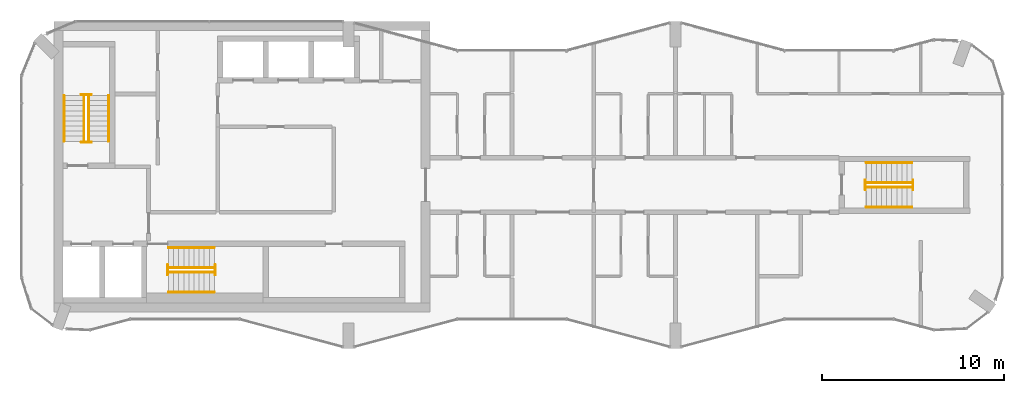
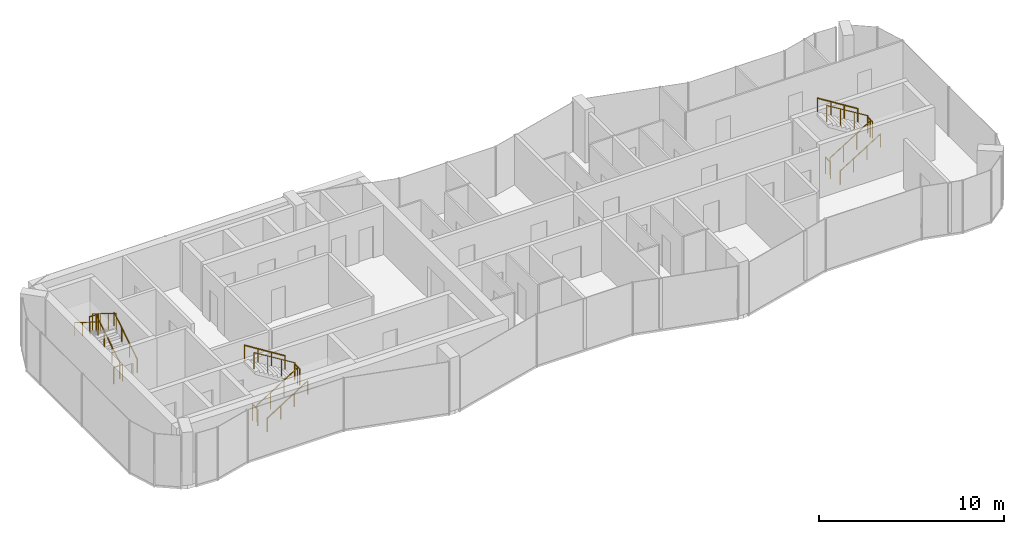
# One storey, part 10 of 10: 18 railings.
"""IFC4 building model written with IfcOpenShell, lengths in metres."""

from ifc_helpers import new_model, si_unit, direction, frame, origin, origin_2d, place, context, subcontext, project, spatial, circle, extrude, material, type_object, element, save


model = new_model("IFC4")

# Units and contexts
model_context = context("Model", 3, precision=1e-05, world=origin(), true_north=direction((0.0, 1.0)))
body_context = subcontext(model_context, "Body", "Model", "MODEL_VIEW")
ifc_project = project(units=[si_unit("LENGTHUNIT", "METRE"), si_unit("AREAUNIT", "SQUARE_METRE"), si_unit("VOLUMEUNIT", "CUBIC_METRE"), si_unit("PLANEANGLEUNIT", "RADIAN"), si_unit("MASSUNIT", "GRAM", prefix="KILO")], contexts=[model_context])

# Site, building, storey
site_placement = place(None, origin())
site = spatial("IfcSite", under=ifc_project, at=site_placement, CompositionType="ELEMENT")
building_placement = place(site_placement, origin())
building = spatial("IfcBuilding", under=site, at=building_placement, Name="Plateau Cross Towers", CompositionType="ELEMENT")
storey_placement = place(building_placement, frame((0.0, 0.0, 252.89990234375)))
storey = spatial("IfcBuildingStorey", under=building, at=storey_placement, Name="L66", CompositionType="ELEMENT", Elevation=252.89990234375)

# Railings
ifc_material_1 = material(Name="Stainless steel and toughened glass", Category="steel")
railing_type_1 = type_object("IfcRailingType", Name="RL-GUARD-1100", PredefinedType="GUARDRAIL", material=ifc_material_1)
railing_1_placement = place(storey_placement, frame((3.699951171875, 11.39990234375, 0.175048828125)))
element("IfcRailing", 1, at=railing_1_placement, inside=storey, type_object=railing_type_1, Name="L66 ST-1 stair guard 1", PredefinedType="GUARDRAIL", context=body_context, shape_type="SweptSolid", body=[
    extrude(circle(Radius=0.02392578125, at=origin_2d()), frame((0.0, 0.0, 1.076171875), z_axis=(0.0, 0.848007534815, 0.529984170421), x_axis=(-1.0, 0.0, 0.0)), (0.0, 0.0, 1.0), 2.9716796875),
    extrude(circle(Radius=0.02099609375, at=origin_2d()), origin(), (0.0, 0.0, 1.0), 1.052001953125),
    extrude(circle(Radius=0.02099609375, at=origin_2d()), frame((0.0, 0.840087890625, 0.52490234375)), (0.0, 0.0, 1.0), 1.052001953125),
    extrude(circle(Radius=0.02099609375, at=origin_2d()), frame((0.0, 1.679931640625, 1.050048828125)), (0.0, 0.0, 1.0), 1.052001953125),
    extrude(circle(Radius=0.02099609375, at=origin_2d()), frame((0.0, 2.52001953125, 1.574951171875)), (0.0, 0.0, 1.0), 1.052001953125),
])
railing_2_placement = place(storey_placement, frame((3.85009765625, 13.969970703125, 1.75)))
element("IfcRailing", 2, at=railing_2_placement, inside=storey, type_object=railing_type_1, Name="L66 ST-1 stair guard 2", PredefinedType="GUARDRAIL", context=body_context, shape_type="SweptSolid", body=[
    extrude(circle(Radius=0.02392578125, at=origin_2d()), frame((0.0, 0.0, 1.076171875), z_axis=(-1.0, 0.0, 0.0), x_axis=(0.0, -1.0, 0.0)), (0.0, 0.0, 1.0), 0.550048828125),
    extrude(circle(Radius=0.02099609375, at=origin_2d()), origin(), (0.0, 0.0, 1.0), 1.052001953125),
    extrude(circle(Radius=0.02099609375, at=origin_2d()), frame((-0.550048828125, 0.0, 0.0)), (0.0, 0.0, 1.0), 1.052001953125),
])
railing_3_placement = place(storey_placement, frame((3.449951171875, 13.919921875, 1.925048828125)))
element("IfcRailing", 3, at=railing_3_placement, inside=storey, type_object=railing_type_1, Name="L66 ST-1 stair guard 3", PredefinedType="GUARDRAIL", context=body_context, shape_type="SweptSolid", body=[
    extrude(circle(Radius=0.02392578125, at=origin_2d()), frame((0.0, 0.0, 1.076171875), z_axis=(0.0, -0.852616386126, 0.522537365276), x_axis=(1.0, 0.0, 0.0)), (0.0, 0.0, 1.0), 3.01416015625),
    extrude(circle(Radius=0.02099609375, at=origin_2d()), origin(), (0.0, 0.0, 1.0), 1.052001953125),
    extrude(circle(Radius=0.02099609375, at=origin_2d()), frame((0.0, -0.856689453125, 0.52490234375)), (0.0, 0.0, 1.0), 1.052001953125),
    extrude(circle(Radius=0.02099609375, at=origin_2d()), frame((0.0, -1.713134765625, 1.050048828125)), (0.0, 0.0, 1.0), 1.052001953125),
    extrude(circle(Radius=0.02099609375, at=origin_2d()), frame((0.0, -2.56982421875, 1.574951171875)), (0.0, 0.0, 1.0), 1.052001953125),
])
railing_4_placement = place(storey_placement, frame((3.85009765625, 11.35009765625, 0.0)))
element("IfcRailing", 4, at=railing_4_placement, inside=storey, type_object=railing_type_1, Name="L66 ST-1 stair guard 4", PredefinedType="GUARDRAIL", context=body_context, shape_type="SweptSolid", body=[
    extrude(circle(Radius=0.02392578125, at=origin_2d()), frame((0.0, 0.0, 1.076171875), z_axis=(-1.0, 0.0, 0.0), x_axis=(0.0, -1.0, 0.0)), (0.0, 0.0, 1.0), 0.550048828125),
    extrude(circle(Radius=0.02099609375, at=origin_2d()), origin(), (0.0, 0.0, 1.0), 1.052001953125),
    extrude(circle(Radius=0.02099609375, at=origin_2d()), frame((-0.550048828125, 0.0, 0.0)), (0.0, 0.0, 1.0), 1.052001953125),
])
railing_5_placement = place(storey_placement, frame((8.10009765625, 4.199951171875, 0.175048828125)))
element("IfcRailing", 5, at=railing_5_placement, inside=storey, type_object=railing_type_1, Name="L66 ST-2 stair guard 1", PredefinedType="GUARDRAIL", context=body_context, shape_type="SweptSolid", body=[
    extrude(circle(Radius=0.02392578125, at=origin_2d()), frame((0.0, 0.0, 1.076171875), z_axis=(0.848007534815, 0.0, 0.529984170421), x_axis=(0.0, 1.0, 0.0)), (0.0, 0.0, 1.0), 2.9716796875),
    extrude(circle(Radius=0.02099609375, at=origin_2d()), origin(), (0.0, 0.0, 1.0), 1.052001953125),
    extrude(circle(Radius=0.02099609375, at=origin_2d()), frame((0.840087890625, 0.0, 0.52490234375)), (0.0, 0.0, 1.0), 1.052001953125),
    extrude(circle(Radius=0.02099609375, at=origin_2d()), frame((1.679931640625, 0.0, 1.050048828125)), (0.0, 0.0, 1.0), 1.052001953125),
    extrude(circle(Radius=0.02099609375, at=origin_2d()), frame((2.52001953125, 0.0, 1.574951171875)), (0.0, 0.0, 1.0), 1.052001953125),
])
railing_6_placement = place(storey_placement, frame((10.669921875, 4.050048828125, 1.75)))
element("IfcRailing", 6, at=railing_6_placement, inside=storey, type_object=railing_type_1, Name="L66 ST-2 stair guard 2", PredefinedType="GUARDRAIL", context=body_context, shape_type="SweptSolid", body=[
    extrude(circle(Radius=0.02392578125, at=origin_2d()), frame((0.0, 0.0, 1.076171875), z_axis=(0.0, 1.0, 0.0), x_axis=(-1.0, 0.0, 0.0)), (0.0, 0.0, 1.0), 0.550048828125),
    extrude(circle(Radius=0.02099609375, at=origin_2d()), origin(), (0.0, 0.0, 1.0), 1.052001953125),
    extrude(circle(Radius=0.02099609375, at=origin_2d()), frame((0.0, 0.550048828125, 0.0)), (0.0, 0.0, 1.0), 1.052001953125),
])
railing_7_placement = place(storey_placement, frame((10.6201171875, 4.449951171875, 1.925048828125)))
element("IfcRailing", 7, at=railing_7_placement, inside=storey, type_object=railing_type_1, Name="L66 ST-2 stair guard 3", PredefinedType="GUARDRAIL", context=body_context, shape_type="SweptSolid", body=[
    extrude(circle(Radius=0.02392578125, at=origin_2d()), frame((0.0, 0.0, 1.076171875), z_axis=(-0.852638500773, 0.0, 0.522501279423), x_axis=(0.0, -1.0, 0.0)), (0.0, 0.0, 1.0), 3.01416015625),
    extrude(circle(Radius=0.02099609375, at=origin_2d()), origin(), (0.0, 0.0, 1.0), 1.052001953125),
    extrude(circle(Radius=0.02099609375, at=origin_2d()), frame((-0.856689453125, 0.0, 0.52490234375)), (0.0, 0.0, 1.0), 1.052001953125),
    extrude(circle(Radius=0.02099609375, at=origin_2d()), frame((-1.71337890625, 0.0, 1.050048828125)), (0.0, 0.0, 1.0), 1.052001953125),
    extrude(circle(Radius=0.02099609375, at=origin_2d()), frame((-2.570068359375, 0.0, 1.574951171875)), (0.0, 0.0, 1.0), 1.052001953125),
])
railing_8_placement = place(storey_placement, frame((8.050048828125, 4.050048828125, 0.0)))
element("IfcRailing", 8, at=railing_8_placement, inside=storey, type_object=railing_type_1, Name="L66 ST-2 stair guard 4", PredefinedType="GUARDRAIL", context=body_context, shape_type="SweptSolid", body=[
    extrude(circle(Radius=0.02392578125, at=origin_2d()), frame((0.0, 0.0, 1.076171875), z_axis=(0.0, 1.0, 0.0), x_axis=(-1.0, 0.0, 0.0)), (0.0, 0.0, 1.0), 0.550048828125),
    extrude(circle(Radius=0.02099609375, at=origin_2d()), origin(), (0.0, 0.0, 1.0), 1.052001953125),
    extrude(circle(Radius=0.02099609375, at=origin_2d()), frame((0.0, 0.550048828125, 0.0)), (0.0, 0.0, 1.0), 1.052001953125),
])
railing_9_placement = place(storey_placement, frame((46.5, 8.875, 0.175048828125)))
element("IfcRailing", 9, at=railing_9_placement, inside=storey, type_object=railing_type_1, Name="L66 ES-E stair guard 1", PredefinedType="GUARDRAIL", context=body_context, shape_type="SweptSolid", body=[
    extrude(circle(Radius=0.02392578125, at=origin_2d()), frame((0.0, 0.0, 1.076171875), z_axis=(0.848007534815, 0.0, 0.529984170421), x_axis=(0.0, 1.0, 0.0)), (0.0, 0.0, 1.0), 2.9716796875),
    extrude(circle(Radius=0.02099609375, at=origin_2d()), origin(), (0.0, 0.0, 1.0), 1.052001953125),
    extrude(circle(Radius=0.02099609375, at=origin_2d()), frame((0.840087890625, 0.0, 0.52490234375)), (0.0, 0.0, 1.0), 1.052001953125),
    extrude(circle(Radius=0.02099609375, at=origin_2d()), frame((1.679931640625, 0.0, 1.050048828125)), (0.0, 0.0, 1.0), 1.052001953125),
    extrude(circle(Radius=0.02099609375, at=origin_2d()), frame((2.52001953125, 0.0, 1.574951171875)), (0.0, 0.0, 1.0), 1.052001953125),
])
railing_10_placement = place(storey_placement, frame((49.070068359375, 8.72509765625, 1.75)))
element("IfcRailing", 10, at=railing_10_placement, inside=storey, type_object=railing_type_1, Name="L66 ES-E stair guard 2", PredefinedType="GUARDRAIL", context=body_context, shape_type="SweptSolid", body=[
    extrude(circle(Radius=0.02392578125, at=origin_2d()), frame((0.0, 0.0, 1.076171875), z_axis=(0.0, 1.0, 0.0), x_axis=(-1.0, 0.0, 0.0)), (0.0, 0.0, 1.0), 0.5498046875),
    extrude(circle(Radius=0.02099609375, at=origin_2d()), origin(), (0.0, 0.0, 1.0), 1.052001953125),
    extrude(circle(Radius=0.02099609375, at=origin_2d()), frame((0.0, 0.5498046875, 0.0)), (0.0, 0.0, 1.0), 1.052001953125),
])
railing_11_placement = place(storey_placement, frame((49.02001953125, 9.125, 1.925048828125)))
element("IfcRailing", 11, at=railing_11_placement, inside=storey, type_object=railing_type_1, Name="L66 ES-E stair guard 3", PredefinedType="GUARDRAIL", context=body_context, shape_type="SweptSolid", body=[
    extrude(circle(Radius=0.02392578125, at=origin_2d()), frame((0.0, 0.0, 1.076171875), z_axis=(-0.852638500773, 0.0, 0.522501279423), x_axis=(0.0, -1.0, 0.0)), (0.0, 0.0, 1.0), 3.01416015625),
    extrude(circle(Radius=0.02099609375, at=origin_2d()), origin(), (0.0, 0.0, 1.0), 1.052001953125),
    extrude(circle(Radius=0.02099609375, at=origin_2d()), frame((-0.856689453125, 0.0, 0.52490234375)), (0.0, 0.0, 1.0), 1.052001953125),
    extrude(circle(Radius=0.02099609375, at=origin_2d()), frame((-1.71337890625, 0.0, 1.050048828125)), (0.0, 0.0, 1.0), 1.052001953125),
    extrude(circle(Radius=0.02099609375, at=origin_2d()), frame((-2.570068359375, 0.0, 1.574951171875)), (0.0, 0.0, 1.0), 1.052001953125),
])
railing_12_placement = place(storey_placement, frame((46.449951171875, 8.72509765625, 0.0)))
element("IfcRailing", 12, at=railing_12_placement, inside=storey, type_object=railing_type_1, Name="L66 ES-E stair guard 4", PredefinedType="GUARDRAIL", context=body_context, shape_type="SweptSolid", body=[
    extrude(circle(Radius=0.02392578125, at=origin_2d()), frame((0.0, 0.0, 1.076171875), z_axis=(0.0, 1.0, 0.0), x_axis=(-1.0, 0.0, 0.0)), (0.0, 0.0, 1.0), 0.5498046875),
    extrude(circle(Radius=0.02099609375, at=origin_2d()), origin(), (0.0, 0.0, 1.0), 1.052001953125),
    extrude(circle(Radius=0.02099609375, at=origin_2d()), frame((0.0, 0.5498046875, 0.0)), (0.0, 0.0, 1.0), 1.052001953125),
])
ifc_material_2 = material(Name="Black anodised aluminium", Category="aluminium")
railing_type_2 = type_object("IfcRailingType", Name="RL-HANDRAIL-900", PredefinedType="HANDRAIL", material=ifc_material_2)
railing_13_placement = place(storey_placement, frame((4.800048828125, 11.39990234375, 0.175048828125)))
element("IfcRailing", 13, at=railing_13_placement, inside=storey, type_object=railing_type_2, Name="L66 ST-1 stair handrail 1", PredefinedType="HANDRAIL", context=body_context, shape_type="SweptSolid", body=[
    extrude(circle(Radius=0.02392578125, at=origin_2d()), frame((0.0, 0.0, 0.8759765625), z_axis=(0.0, 0.848007534815, 0.529984170421), x_axis=(-1.0, 0.0, 0.0)), (0.0, 0.0, 1.0), 2.9716796875),
    extrude(circle(Radius=0.02099609375, at=origin_2d()), origin(), (0.0, 0.0, 1.0), 0.851806640625),
    extrude(circle(Radius=0.02099609375, at=origin_2d()), frame((0.0, 0.840087890625, 0.52490234375)), (0.0, 0.0, 1.0), 0.851806640625),
    extrude(circle(Radius=0.02099609375, at=origin_2d()), frame((0.0, 1.679931640625, 1.050048828125)), (0.0, 0.0, 1.0), 0.851806640625),
    extrude(circle(Radius=0.02099609375, at=origin_2d()), frame((0.0, 2.52001953125, 1.574951171875)), (0.0, 0.0, 1.0), 0.851806640625),
])
railing_14_placement = place(storey_placement, frame((2.35009765625, 13.919921875, 1.925048828125)))
element("IfcRailing", 14, at=railing_14_placement, inside=storey, type_object=railing_type_2, Name="L66 ST-1 stair handrail 2", PredefinedType="HANDRAIL", context=body_context, shape_type="SweptSolid", body=[
    extrude(circle(Radius=0.02392578125, at=origin_2d()), frame((0.0, 0.0, 0.8759765625), z_axis=(0.0, -0.848007534815, 0.529984170421), x_axis=(1.0, 0.0, 0.0)), (0.0, 0.0, 1.0), 2.9716796875),
    extrude(circle(Radius=0.02099609375, at=origin_2d()), origin(), (0.0, 0.0, 1.0), 0.851806640625),
    extrude(circle(Radius=0.02099609375, at=origin_2d()), frame((0.0, -0.840087890625, 0.52490234375)), (0.0, 0.0, 1.0), 0.851806640625),
    extrude(circle(Radius=0.02099609375, at=origin_2d()), frame((0.0, -1.679931640625, 1.050048828125)), (0.0, 0.0, 1.0), 0.851806640625),
    extrude(circle(Radius=0.02099609375, at=origin_2d()), frame((0.0, -2.52001953125, 1.574951171875)), (0.0, 0.0, 1.0), 0.851806640625),
])
railing_15_placement = place(storey_placement, frame((8.10009765625, 3.10009765625, 0.175048828125)))
element("IfcRailing", 15, at=railing_15_placement, inside=storey, type_object=railing_type_2, Name="L66 ST-2 stair handrail 1", PredefinedType="HANDRAIL", context=body_context, shape_type="SweptSolid", body=[
    extrude(circle(Radius=0.02392578125, at=origin_2d()), frame((0.0, 0.0, 0.8759765625), z_axis=(0.848007534815, 0.0, 0.529984170421), x_axis=(0.0, 1.0, 0.0)), (0.0, 0.0, 1.0), 2.9716796875),
    extrude(circle(Radius=0.02099609375, at=origin_2d()), origin(), (0.0, 0.0, 1.0), 0.851806640625),
    extrude(circle(Radius=0.02099609375, at=origin_2d()), frame((0.840087890625, 0.0, 0.52490234375)), (0.0, 0.0, 1.0), 0.851806640625),
    extrude(circle(Radius=0.02099609375, at=origin_2d()), frame((1.679931640625, 0.0, 1.050048828125)), (0.0, 0.0, 1.0), 0.851806640625),
    extrude(circle(Radius=0.02099609375, at=origin_2d()), frame((2.52001953125, 0.0, 1.574951171875)), (0.0, 0.0, 1.0), 0.851806640625),
])
railing_16_placement = place(storey_placement, frame((10.6201171875, 5.550048828125, 1.925048828125)))
element("IfcRailing", 16, at=railing_16_placement, inside=storey, type_object=railing_type_2, Name="L66 ST-2 stair handrail 2", PredefinedType="HANDRAIL", context=body_context, shape_type="SweptSolid", body=[
    extrude(circle(Radius=0.02392578125, at=origin_2d()), frame((0.0, 0.0, 0.8759765625), z_axis=(-0.848007534815, 0.0, 0.529984170421), x_axis=(0.0, -1.0, 0.0)), (0.0, 0.0, 1.0), 2.9716796875),
    extrude(circle(Radius=0.02099609375, at=origin_2d()), origin(), (0.0, 0.0, 1.0), 0.851806640625),
    extrude(circle(Radius=0.02099609375, at=origin_2d()), frame((-0.840087890625, 0.0, 0.52490234375)), (0.0, 0.0, 1.0), 0.851806640625),
    extrude(circle(Radius=0.02099609375, at=origin_2d()), frame((-1.679931640625, 0.0, 1.050048828125)), (0.0, 0.0, 1.0), 0.851806640625),
    extrude(circle(Radius=0.02099609375, at=origin_2d()), frame((-2.52001953125, 0.0, 1.574951171875)), (0.0, 0.0, 1.0), 0.851806640625),
])
railing_17_placement = place(storey_placement, frame((46.5, 7.77490234375, 0.175048828125)))
element("IfcRailing", 17, at=railing_17_placement, inside=storey, type_object=railing_type_2, Name="L66 ES-E stair handrail 1", PredefinedType="HANDRAIL", context=body_context, shape_type="SweptSolid", body=[
    extrude(circle(Radius=0.02392578125, at=origin_2d()), frame((0.0, 0.0, 0.8759765625), z_axis=(0.848007534815, 0.0, 0.529984170421), x_axis=(0.0, 1.0, 0.0)), (0.0, 0.0, 1.0), 2.9716796875),
    extrude(circle(Radius=0.02099609375, at=origin_2d()), origin(), (0.0, 0.0, 1.0), 0.851806640625),
    extrude(circle(Radius=0.02099609375, at=origin_2d()), frame((0.840087890625, 0.0, 0.52490234375)), (0.0, 0.0, 1.0), 0.851806640625),
    extrude(circle(Radius=0.02099609375, at=origin_2d()), frame((1.679931640625, 0.0, 1.050048828125)), (0.0, 0.0, 1.0), 0.851806640625),
    extrude(circle(Radius=0.02099609375, at=origin_2d()), frame((2.52001953125, 0.0, 1.574951171875)), (0.0, 0.0, 1.0), 0.851806640625),
])
railing_18_placement = place(storey_placement, frame((49.02001953125, 10.22509765625, 1.925048828125)))
element("IfcRailing", 18, at=railing_18_placement, inside=storey, type_object=railing_type_2, Name="L66 ES-E stair handrail 2", PredefinedType="HANDRAIL", context=body_context, shape_type="SweptSolid", body=[
    extrude(circle(Radius=0.02392578125, at=origin_2d()), frame((0.0, 0.0, 0.8759765625), z_axis=(-0.848007534815, 0.0, 0.529984170421), x_axis=(0.0, -1.0, 0.0)), (0.0, 0.0, 1.0), 2.9716796875),
    extrude(circle(Radius=0.02099609375, at=origin_2d()), origin(), (0.0, 0.0, 1.0), 0.851806640625),
    extrude(circle(Radius=0.02099609375, at=origin_2d()), frame((-0.840087890625, 0.0, 0.52490234375)), (0.0, 0.0, 1.0), 0.851806640625),
    extrude(circle(Radius=0.02099609375, at=origin_2d()), frame((-1.679931640625, 0.0, 1.050048828125)), (0.0, 0.0, 1.0), 0.851806640625),
    extrude(circle(Radius=0.02099609375, at=origin_2d()), frame((-2.52001953125, 0.0, 1.574951171875)), (0.0, 0.0, 1.0), 0.851806640625),
])

save(model, "model.ifc")
